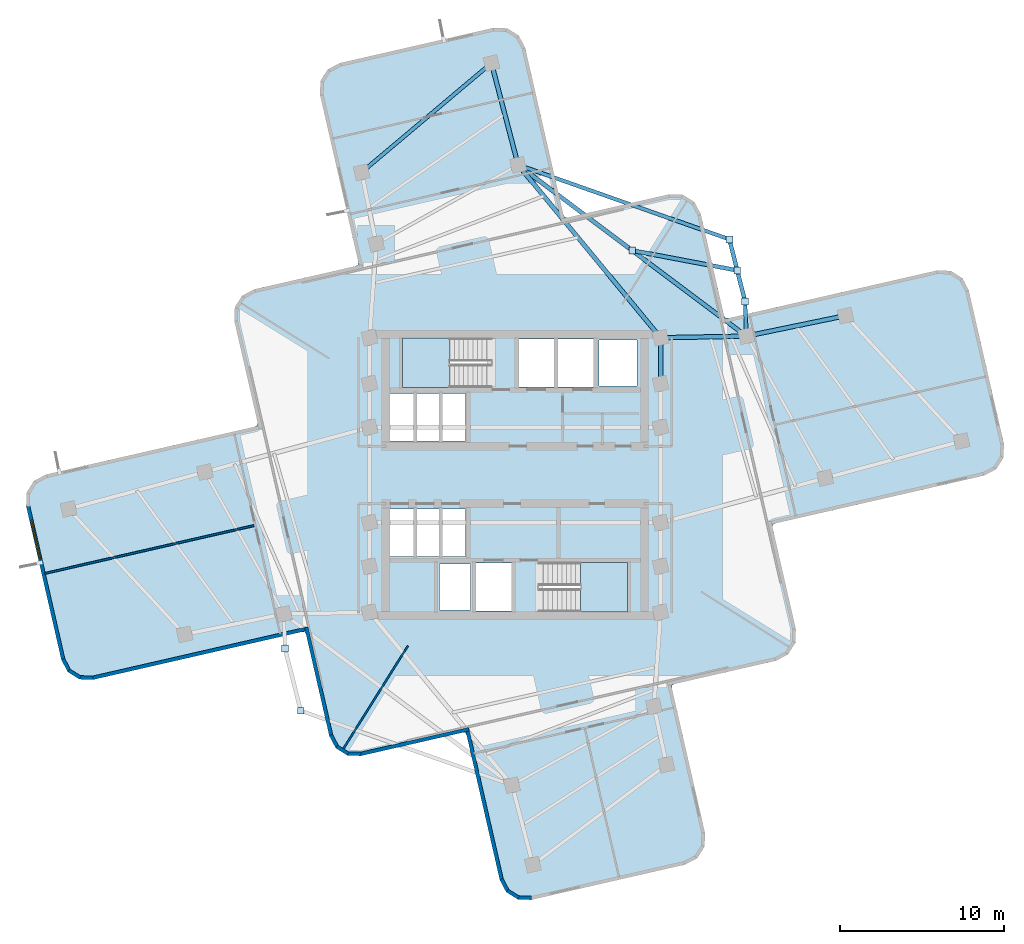
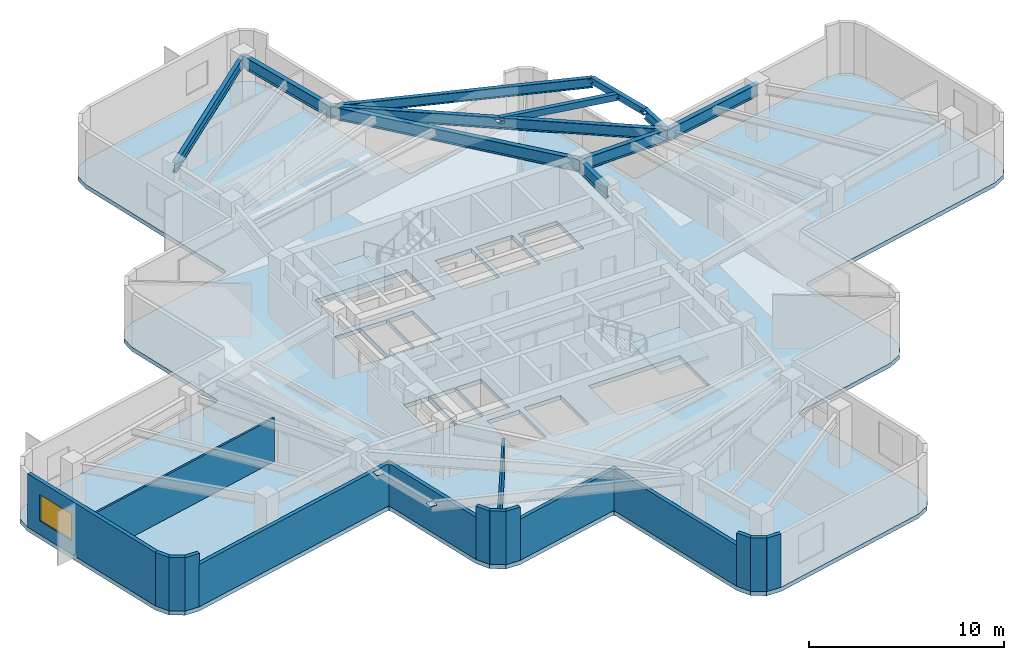
# One storey, part 2 of 8: 16 walls, 11 beams, 6 plates, 3 slabs, 1 window, 1 opening, 2 elements without a shape of their own.
"""IFC4 building model written with IfcOpenShell, lengths in metres."""

from ifc_helpers import new_model, si_unit, direction, frame, frame_2d, origin, origin_2d, place, context, subcontext, project, spatial, polyline, rectangle, hollow_rectangle, i_section, outline, extrude, material, layer, layer_set, material_profile, profile_set, type_object, element, fill, aggregate, save


model = new_model("IFC4")

# Units and contexts
model_context = context("Model", 3, precision=1e-05, world=origin(), true_north=direction((0.0, 1.0)))
body_context = subcontext(model_context, "Body", "Model", "MODEL_VIEW")
ifc_project = project(units=[si_unit("LENGTHUNIT", "METRE"), si_unit("AREAUNIT", "SQUARE_METRE"), si_unit("VOLUMEUNIT", "CUBIC_METRE"), si_unit("PLANEANGLEUNIT", "RADIAN"), si_unit("MASSUNIT", "GRAM", prefix="KILO")], contexts=[model_context])

# Site, building, storey
site_placement = place(None, origin())
site = spatial("IfcSite", under=ifc_project, at=site_placement, CompositionType="ELEMENT")
building_placement = place(site_placement, origin())
building = spatial("IfcBuilding", under=site, at=building_placement, Name="Solmarez Civic Tower", CompositionType="ELEMENT")
storey_placement = place(building_placement, frame((0.0, 0.0, 123.47998046875)))
storey = spatial("IfcBuildingStorey", under=building, at=storey_placement, Name="L32", CompositionType="ELEMENT", Elevation=123.47998046875)

# Beams
ifc_material_1 = material(Name="Steel S355", Category="steel")
ifc_material_profile_1 = material_profile(ifc_material_1, i_section(OverallWidth=0.25390625, OverallDepth=0.68798828125, WebThickness=0.01318359375, FlangeThickness=0.02099609375, at=origin_2d()), Name="W27X102")
ifc_profile_set_1 = profile_set([ifc_material_profile_1], Name="Steel S355")
beam_type_1 = type_object("IfcBeamType", Name="BM-PR-W27X102", PredefinedType="BEAM", material=ifc_profile_set_1)
beam_1_placement = place(storey_placement, frame((14.06396484375, 8.445068359375, 2.99609375), z_axis=(-0.799878431775, 0.600162056766, 0.0), x_axis=(-0.600162056766, -0.799878431775, 0.0)))
element("IfcBeam", 1, at=beam_1_placement, inside=storey, type_object=beam_type_1, Name="L32 Primary Floor Beam BM-L32-BALC-NEC", PredefinedType="BEAM", context=body_context, shape_type="SweptSolid", body=[
    extrude(i_section(OverallWidth=0.25390625, OverallDepth=0.68798828125, WebThickness=0.01318359375, FlangeThickness=0.02099609375, at=origin_2d()), origin(), (0.0, 0.0, 1.0), 17.353759765625),
])
ifc_material_profile_2 = material_profile(ifc_material_1, i_section(OverallWidth=0.26708984375, OverallDepth=0.761962890625, WebThickness=0.014404296875, FlangeThickness=0.021484375, at=origin_2d()), Name="W30X116")
ifc_profile_set_2 = profile_set([ifc_material_profile_2], Name="Steel S355")
beam_type_2 = type_object("IfcBeamType", Name="BM-PR-W30X116", PredefinedType="BEAM", material=ifc_profile_set_2)
beam_2_placement = place(storey_placement, frame((8.85009765625, 5.550048828125, 2.958984375), z_axis=(0.0, 1.0, 0.0), x_axis=(-1.0, 0.0, 0.0)))
element("IfcBeam", 2, at=beam_2_placement, inside=storey, type_object=beam_type_2, Name="L32 Primary Floor Beam BM-L32-HC8-HC11", PredefinedType="BEAM", context=body_context, shape_type="SweptSolid", body=[
    extrude(i_section(OverallWidth=0.26708984375, OverallDepth=0.761962890625, WebThickness=0.014404296875, FlangeThickness=0.021484375, at=origin_2d()), origin(), (0.0, 0.0, 1.0), 2.800048828125),
])
beam_3_placement = place(storey_placement, frame((8.85009765625, 8.35009765625, 2.958984375), z_axis=(0.999834147765, 0.018212000538, 0.0), x_axis=(-0.018212000538, 0.999834147765, 0.0)))
element("IfcBeam", 3, at=beam_3_placement, inside=storey, type_object=beam_type_2, Name="L32 Primary Floor Beam BM-L32-EA-R1B", PredefinedType="BEAM", context=body_context, shape_type="SweptSolid", body=[
    extrude(i_section(OverallWidth=0.26708984375, OverallDepth=0.761962890625, WebThickness=0.014404296875, FlangeThickness=0.021484375, at=origin_2d()), origin(), (0.0, 0.0, 1.0), 5.21484375),
])
beam_4_placement = place(storey_placement, frame((14.06396484375, 8.445068359375, 2.958984375), z_axis=(0.979311082476, 0.202360578523, 0.0), x_axis=(-0.202360578523, 0.979311082476, 0.0)))
element("IfcBeam", 4, at=beam_4_placement, inside=storey, type_object=beam_type_2, Name="L32 Primary Floor Beam BM-L32-EA-R2B", PredefinedType="BEAM", context=body_context, shape_type="SweptSolid", body=[
    extrude(i_section(OverallWidth=0.26708984375, OverallDepth=0.761962890625, WebThickness=0.014404296875, FlangeThickness=0.021484375, at=origin_2d()), origin(), (0.0, 0.0, 1.0), 6.161376953125),
])
beam_5_placement = place(storey_placement, frame((8.85009765625, 8.35009765625, 2.958984375), z_axis=(-0.636218453069, 0.77150896299, 0.0), x_axis=(-0.77150896299, -0.636218453069, 0.0)))
element("IfcBeam", 5, at=beam_5_placement, inside=storey, type_object=beam_type_2, Name="L32 Primary Floor Beam BM-L32-NA-R1A", PredefinedType="BEAM", context=body_context, shape_type="SweptSolid", body=[
    extrude(i_section(OverallWidth=0.26708984375, OverallDepth=0.761962890625, WebThickness=0.014404296875, FlangeThickness=0.021484375, at=origin_2d()), origin(), (0.0, 0.0, 1.0), 13.62255859375),
])
beam_6_placement = place(storey_placement, frame((0.18310546875, 18.860107421875, 2.958984375), z_axis=(-0.25312990791, 0.967432297229, 0.0), x_axis=(-0.967432297229, -0.25312990791, 0.0)))
element("IfcBeam", 6, at=beam_6_placement, inside=storey, type_object=beam_type_2, Name="L32 Primary Floor Beam BM-L32-NA-R2A", PredefinedType="BEAM", context=body_context, shape_type="SweptSolid", body=[
    extrude(i_section(OverallWidth=0.26708984375, OverallDepth=0.761962890625, WebThickness=0.014404296875, FlangeThickness=0.021484375, at=origin_2d()), origin(), (0.0, 0.0, 1.0), 6.400390625),
])
ifc_material_profile_3 = material_profile(ifc_material_1, hollow_rectangle(XDim=0.25, YDim=0.39990234375, WallThickness=0.01611328125, at=origin_2d()), Name="HSS400X250X16")
ifc_profile_set_3 = profile_set([ifc_material_profile_3], Name="Steel S355")
beam_type_3 = type_object("IfcBeamType", Name="BM-SP-HSS400X250", PredefinedType="SPANDREL", material=ifc_profile_set_3)
beam_7_placement = place(storey_placement, frame((13.988037109375, 10.553955078125, 3.14013671875), z_axis=(-0.245141857884, 0.969487219881, 0.0), x_axis=(-0.969487219881, -0.245141857884, 0.0)))
element("IfcBeam", 7, at=beam_7_placement, inside=storey, type_object=beam_type_3, Name="L32 Perimeter Spandrel Beam BM-L32-BALC-NEE", PredefinedType="SPANDREL", context=body_context, shape_type="SweptSolid", body=[
    extrude(hollow_rectangle(XDim=0.25, YDim=0.39990234375, WallThickness=0.01611328125, at=origin_2d()), origin(), (0.0, 0.0, 1.0), 3.89990234375),
])
beam_8_placement = place(storey_placement, frame((7.123046875, 13.652099609375, 3.14013671875), z_axis=(0.982607124139, -0.185696633223, 0.0), x_axis=(0.185696633223, 0.982607124139, 0.0)))
element("IfcBeam", 8, at=beam_8_placement, inside=storey, type_object=beam_type_3, Name="L32 Perimeter Spandrel Beam BM-L32-BALC-NEM", PredefinedType="SPANDREL", context=body_context, shape_type="SweptSolid", body=[
    extrude(hollow_rectangle(XDim=0.25, YDim=0.39990234375, WallThickness=0.01611328125, at=origin_2d()), origin(), (0.0, 0.0, 1.0), 6.5),
])
ifc_material_profile_4 = material_profile(ifc_material_1, i_section(OverallWidth=0.22900390625, OverallDepth=0.612060546875, WebThickness=0.011962890625, FlangeThickness=0.01953125, at=origin_2d()), Name="W24X84")
ifc_profile_set_4 = profile_set([ifc_material_profile_4], Name="Steel S355")
beam_type_4 = type_object("IfcBeamType", Name="BM-SP-W24X84", PredefinedType="SPANDREL", material=ifc_profile_set_4)
beam_9_placement = place(storey_placement, frame((-1.43701171875, 25.052001953125, 3.033935546875), z_axis=(-0.765206846446, -0.643784499777, 0.0), x_axis=(0.643784499777, -0.765206846446, 0.0)))
element("IfcBeam", 9, at=beam_9_placement, inside=storey, type_object=beam_type_4, Name="L32 Perimeter Spandrel Beam BM-L32-NA-T2", PredefinedType="SPANDREL", context=body_context, shape_type="SweptSolid", body=[
    extrude(i_section(OverallWidth=0.22900390625, OverallDepth=0.612060546875, WebThickness=0.011962890625, FlangeThickness=0.01953125, at=origin_2d()), origin(), (0.0, 0.0, 1.0), 10.31884765625),
])
beam_10_placement = place(storey_placement, frame((14.06396484375, 8.445068359375, 3.033935546875), z_axis=(-0.035980392021, 0.999352496064, 0.0), x_axis=(-0.999352496064, -0.035980392021, 0.0)))
element("IfcBeam", 10, at=beam_10_placement, inside=storey, type_object=beam_type_4, Name="L32 Perimeter Spandrel Beam BM-L32-BALC-NE1", PredefinedType="SPANDREL", context=body_context, shape_type="SweptSolid", body=[
    extrude(i_section(OverallWidth=0.22900390625, OverallDepth=0.612060546875, WebThickness=0.011962890625, FlangeThickness=0.01953125, at=origin_2d()), origin(), (0.0, 0.0, 1.0), 2.1103515625),
])
beam_11_placement = place(storey_placement, frame((0.18310546875, 18.860107421875, 3.033935546875), z_axis=(0.943214777397, -0.332183509074, 0.0), x_axis=(0.332183509074, 0.943214777397, 0.0)))
element("IfcBeam", 11, at=beam_11_placement, inside=storey, type_object=beam_type_4, Name="L32 Perimeter Spandrel Beam BM-L32-BALC-NE2", PredefinedType="SPANDREL", context=body_context, shape_type="SweptSolid", body=[
    extrude(i_section(OverallWidth=0.22900390625, OverallDepth=0.612060546875, WebThickness=0.011962890625, FlangeThickness=0.01953125, at=origin_2d()), origin(), (0.0, 0.0, 1.0), 13.622314453125),
])

# Plates
ifc_layer_1 = layer(ifc_material_1, 0.02392578125)
ifc_layer_set_1 = layer_set([ifc_layer_1], Name="Steel S355")
plate_type = type_object("IfcPlateType", Name="PLT-CAP-380", PredefinedType="USERDEFINED", material=ifc_layer_set_1)
for number, where, z_axis, x_axis, name in (
    (12, (13.988037109375, 10.553955078125, 3.128173828125), (0.0, 0.0, 1.0), (1.0, 0.0, 0.0), "Steel Member End Cap Plate CAP-BM-L32-BALC-NEE-0"),
    (13, (13.031982421875, 14.3349609375, 3.128173828125), (0.0, 0.0, 1.0), (1.0, 0.0, 0.0), "Steel Member End Cap Plate CAP-BM-L32-BALC-NEE-1"),
    (14, (7.123046875, 13.652099609375, 3.128173828125), (0.0, 0.0, 1.0), (1.0, 0.0, 0.0), "Steel Member End Cap Plate CAP-BM-L32-BALC-NEM-0"),
    (15, (13.510009765625, 12.445068359375, 3.128173828125), (0.0, 0.0, 1.0), (1.0, 0.0, 0.0), "Steel Member End Cap Plate CAP-BM-L32-BALC-NEM-1"),
    (16, (-13.988037109375, -10.553955078125, 3.128173828125), (0.0, 0.0, 1.0), (1.0, 0.0, 0.0), "Steel Member End Cap Plate CAP-BM-L32-BALC-SWE-0"),
    (17, (-13.031982421875, -14.3349609375, 3.128173828125), (0.0, 0.0, 1.0), (1.0, 0.0, 0.0), "Steel Member End Cap Plate CAP-BM-L32-BALC-SWE-1"),
):
    element("IfcPlate", number, at=place(storey_placement, frame(where, z_axis=z_axis, x_axis=x_axis)), inside=storey, type_object=plate_type, Name=name, ObjectType="CAP_PLATE", PredefinedType="USERDEFINED", context=body_context, shape_type="SweptSolid", body=[
        extrude(rectangle(XDim=0.419921875, YDim=0.419921875, at=origin_2d()), origin(), (0.0, 0.0, 1.0), 0.02392578125),
    ])

# Stair, slab
ifc_material_2 = material(Name="Concrete C50/60", Category="concrete")
stair_type = type_object("IfcStairType", Name="STAIR-DOGLEG-140W-20R-1800", PredefinedType="HALF_TURN_STAIR", material=ifc_material_2)
stair_1_placement = place(storey_placement, origin())
stair_1 = element("IfcStair", 18, at=stair_1_placement, inside=storey, type_object=stair_type, Name="L32 North Core Protected Exit Stair ST-1", PredefinedType="HALF_TURN_STAIR")
ifc_layer_2 = layer(ifc_material_2, 0.199951171875)
ifc_layer_set_2 = layer_set([ifc_layer_2], Name="Concrete C50/60")
slab_type_1 = type_object("IfcSlabType", Name="SLAB-LANDING-200", PredefinedType="LANDING", material=ifc_layer_set_2)
slab_1_placement = place(storey_placement, frame((0.0, 0.0, 1.60009765625)))
slab_1 = element("IfcSlab", 19, at=slab_1_placement, type_object=slab_type_1, Name="ST-1 landing 1", PredefinedType="LANDING", context=body_context, shape_type="SweptSolid", body=[
    extrude(outline(polyline([(-3.969970703125, 8.320068359375), (-6.85009765625, 8.320068359375), (-6.85009765625, 5.320068359375), (-3.969970703125, 5.320068359375), (-3.969970703125, 8.320068359375)])), origin(), (0.0, 0.0, 1.0), 0.199951171875),
])
aggregate(stair_1, [slab_1])

stair_2_placement = place(storey_placement, origin())
stair_2 = element("IfcStair", 20, at=stair_2_placement, inside=storey, type_object=stair_type, Name="L32 South Core Protected Exit Stair ST-2", PredefinedType="HALF_TURN_STAIR")
slab_2_placement = place(storey_placement, frame((0.0, 0.0, 1.60009765625)))
slab_2 = element("IfcSlab", 21, at=slab_2_placement, type_object=slab_type_1, Name="ST-2 landing 1", PredefinedType="LANDING", context=body_context, shape_type="SweptSolid", body=[
    extrude(outline(polyline([(3.969970703125, -8.320068359375), (6.85009765625, -8.320068359375), (6.85009765625, -5.320068359375), (3.969970703125, -5.320068359375), (3.969970703125, -8.320068359375)])), origin(), (0.0, 0.0, 1.0), 0.199951171875),
])
aggregate(stair_2, [slab_2])

# Slab
ifc_layer_3 = layer(ifc_material_2, 0.260009765625)
ifc_layer_set_3 = layer_set([ifc_layer_3], Name="Concrete C50/60")
slab_type_2 = type_object("IfcSlabType", Name="SLAB-TOWER-260", PredefinedType="FLOOR", material=ifc_layer_set_3)
slab_3_placement = place(storey_placement, frame((0.0, 0.0, -0.260009765625)))
element("IfcSlab", 22, at=slab_3_placement, inside=storey, type_object=slab_type_2, Name="L32 Structural Slab", PredefinedType="FLOOR", context=body_context, shape_type="SweptSolid", body=[
    extrude(outline(polyline([(-12.70703125, -9.69189453125), (-11.2919921875, -15.87109375), (-10.904052734375, -16.60302734375), (-10.202880859375, -17.0439453125), (-9.375, -17.073974609375), (-3.196044921875, -15.658935546875), (-3.02392578125, -15.6650390625), (-2.943115234375, -15.81689453125), (-0.925048828125, -24.6279296875), (-0.5380859375, -25.360107421875), (0.1640625, -25.800048828125), (0.991943359375, -25.8310546875), (10.34912109375, -23.68701171875), (11.0810546875, -23.300048828125), (11.52099609375, -22.597900390625), (11.552001953125, -21.77099609375), (9.533935546875, -12.958984375), (9.5400390625, -12.787109375), (9.69189453125, -12.70703125), (15.87109375, -11.2919921875), (16.60302734375, -10.904052734375), (17.0439453125, -10.202880859375), (17.073974609375, -9.375), (15.658935546875, -3.196044921875), (15.6650390625, -3.02392578125), (15.81689453125, -2.943115234375), (28.527099609375, -0.031982421875), (29.259033203125, 0.35498046875), (29.698974609375, 1.056884765625), (29.72998046875, 1.885009765625), (27.5859375, 11.241943359375), (27.198974609375, 11.97412109375), (26.4970703125, 12.4140625), (25.669921875, 12.445068359375), (12.958984375, 9.533935546875), (12.787109375, 9.5400390625), (12.70703125, 9.69189453125), (11.2919921875, 15.87109375), (10.904052734375, 16.60302734375), (10.202880859375, 17.0439453125), (9.375, 17.073974609375), (3.196044921875, 15.658935546875), (3.02392578125, 15.6650390625), (2.943115234375, 15.81689453125), (0.613037109375, 25.992919921875), (0.22509765625, 26.72509765625), (-0.47705078125, 27.1650390625), (-1.303955078125, 27.195068359375), (-10.662109375, 25.052001953125), (-11.39404296875, 24.6640625), (-11.833984375, 23.962890625), (-11.864013671875, 23.135009765625), (-9.533935546875, 12.958984375), (-9.5400390625, 12.787109375), (-9.69189453125, 12.70703125), (-15.87109375, 11.2919921875), (-16.60302734375, 10.904052734375), (-17.0439453125, 10.202880859375), (-17.073974609375, 9.375), (-15.658935546875, 3.196044921875), (-15.6650390625, 3.02392578125), (-15.81689453125, 2.943115234375), (-28.527099609375, 0.031982421875), (-29.259033203125, -0.35498046875), (-29.698974609375, -1.056884765625), (-29.72998046875, -1.885009765625), (-27.5859375, -11.241943359375), (-27.198974609375, -11.97412109375), (-26.4970703125, -12.4140625), (-25.669921875, -12.445068359375), (-12.958984375, -9.533935546875), (-12.787109375, -9.5400390625), (-12.70703125, -9.69189453125)]), holes=[polyline([(-1.449951171875, 8.320068359375), (-6.85009765625, 8.320068359375), (-6.85009765625, 5.320068359375), (-1.449951171875, 5.320068359375), (-1.449951171875, 8.320068359375)]), polyline([(1.449951171875, -8.320068359375), (6.85009765625, -8.320068359375), (6.85009765625, -5.320068359375), (1.449951171875, -5.320068359375), (1.449951171875, -8.320068359375)]), polyline([(0.219970703125, 5.360107421875), (2.3798828125, 5.360107421875), (2.3798828125, 8.280029296875), (0.219970703125, 8.280029296875), (0.219970703125, 5.360107421875)]), polyline([(2.6201171875, 5.360107421875), (4.780029296875, 5.360107421875), (4.780029296875, 8.280029296875), (2.6201171875, 8.280029296875), (2.6201171875, 5.360107421875)]), polyline([(-2.3798828125, -8.280029296875), (-0.219970703125, -8.280029296875), (-0.219970703125, -5.360107421875), (-2.3798828125, -5.360107421875), (-2.3798828125, -8.280029296875)]), polyline([(-7.60009765625, -4.9599609375), (-6.1201171875, -4.9599609375), (-6.1201171875, -2.06005859375), (-7.60009765625, -2.06005859375), (-7.60009765625, -4.9599609375)]), polyline([(-6.0400390625, -4.9599609375), (-4.56005859375, -4.9599609375), (-4.56005859375, -2.06005859375), (-6.0400390625, -2.06005859375), (-6.0400390625, -4.9599609375)]), polyline([(-4.47998046875, -4.9599609375), (-3.0, -4.9599609375), (-3.0, -2.06005859375), (-4.47998046875, -2.06005859375), (-4.47998046875, -4.9599609375)]), polyline([(-7.60009765625, 2.06005859375), (-6.1201171875, 2.06005859375), (-6.1201171875, 4.9599609375), (-7.60009765625, 4.9599609375), (-7.60009765625, 2.06005859375)]), polyline([(-6.0400390625, 2.06005859375), (-4.56005859375, 2.06005859375), (-4.56005859375, 4.9599609375), (-6.0400390625, 4.9599609375), (-6.0400390625, 2.06005859375)]), polyline([(-4.47998046875, 2.06005859375), (-3.0, 2.06005859375), (-3.0, 4.9599609375), (-4.47998046875, 4.9599609375), (-4.47998046875, 2.06005859375)]), polyline([(5.10009765625, 5.419921875), (7.39990234375, 5.419921875), (7.39990234375, 8.219970703125), (5.10009765625, 8.219970703125), (5.10009765625, 5.419921875)]), polyline([(-4.60009765625, -8.219970703125), (-2.699951171875, -8.219970703125), (-2.699951171875, -5.419921875), (-4.60009765625, -5.419921875), (-4.60009765625, -8.219970703125)])]), origin(), (0.0, 0.0, 1.0), 0.260009765625),
])

# Walls
ifc_material_3 = material(Name="Precast concrete C40/50", Category="concrete")
ifc_layer_4 = layer(ifc_material_3, 0.219970703125)
ifc_layer_set_4 = layer_set([ifc_layer_4], Name="Precast concrete C40/50")
wall_type_1 = type_object("IfcWallType", Name="WALL-EXT-220", PredefinedType="SOLIDWALL", material=ifc_layer_set_4)
wall_1_placement = place(storey_placement, frame((-12.5849609375, -9.3349609375, 0.0), z_axis=(0.0, 0.0, 1.0), x_axis=(-0.974754036658, -0.223281365141, 0.0)))
element("IfcWall", 23, at=wall_1_placement, inside=storey, type_object=wall_type_1, Name="L32 Exterior Precast Wall 2", PredefinedType="SOLIDWALL", context=body_context, shape_type="SweptSolid", body=[
    extrude(rectangle(XDim=13.458984375, YDim=0.219970703125, at=frame_2d((6.7294921875, 0.0))), origin(), (0.0, 0.0, 1.0), 2.64404296875),
])
wall_2_placement = place(storey_placement, frame((-25.655029296875, -12.3349609375, 0.0), z_axis=(0.0, 0.0, 1.0), x_axis=(-0.999352376715, 0.035983706773, 0.0)))
element("IfcWall", 24, at=wall_2_placement, inside=storey, type_object=wall_type_1, Name="L32 Exterior Precast Wall 3", PredefinedType="SOLIDWALL", context=body_context, shape_type="SweptSolid", body=[
    extrude(rectangle(XDim=0.83447265625, YDim=0.219970703125, at=frame_2d((0.417236328125, 0.0))), origin(), (0.0, 0.0, 1.0), 3.340087890625),
])
wall_3_placement = place(storey_placement, frame((-26.443115234375, -12.319091796875, 0.0), z_axis=(0.0, 0.0, 1.0), x_axis=(-0.846889988853, 0.531768132536, 0.0)))
element("IfcWall", 25, at=wall_3_placement, inside=storey, type_object=wall_type_1, Name="L32 Exterior Precast Wall 4", PredefinedType="SOLIDWALL", context=body_context, shape_type="SweptSolid", body=[
    extrude(rectangle(XDim=0.818115234375, YDim=0.219970703125, at=frame_2d((0.4091796875, 0.0))), origin(), (0.0, 0.0, 1.0), 3.340087890625),
])
wall_4_placement = place(storey_placement, frame((-27.10302734375, -11.9189453125, 0.0), z_axis=(0.0, 0.0, 1.0), x_axis=(-0.468506090516, 0.883460266876, 0.0)))
element("IfcWall", 26, at=wall_4_placement, inside=storey, type_object=wall_type_1, Name="L32 Exterior Precast Wall 5", PredefinedType="SOLIDWALL", context=body_context, shape_type="SweptSolid", body=[
    extrude(rectangle(XDim=0.834228515625, YDim=0.219970703125, at=frame_2d((0.4169921875, 0.0))), origin(), (0.0, 0.0, 1.0), 3.340087890625),
])

# Wall, opening, window
wall_5_placement = place(storey_placement, frame((-27.47607421875, -11.22802734375, 0.0), z_axis=(0.0, 0.0, 1.0), x_axis=(-0.223358074049, 0.974736462208, 0.0)))
wall_5 = element("IfcWall", 27, at=wall_5_placement, inside=storey, type_object=wall_type_1, Name="L32 Exterior Precast Wall 6", PredefinedType="SOLIDWALL", context=body_context, shape_type="SweptSolid", body=[
    extrude(rectangle(XDim=9.62109375, YDim=0.219970703125, at=frame_2d((4.810546875, 0.0))), origin(), (0.0, 0.0, 1.0), 3.340087890625),
])
opening_placement = place(wall_5_placement, frame((6.303955078125, 0.0, 0.85009765625)))
opening = element("IfcOpeningElement", 28, at=opening_placement, cuts=wall_5, Name="Opening W-10", PredefinedType="OPENING", context=body_context, shape_type="SweptSolid", body=[
    extrude(rectangle(XDim=2.39990234375, YDim=1.64990234375, at=frame_2d((1.199951171875, 0.824951171875))), frame((0.0, 0.119873046875, 0.0), z_axis=(0.0, -1.0, 0.0), x_axis=(1.0, 0.0, 0.0)), (0.0, 0.0, 1.0), 0.239990234375),
])
ifc_material_4 = material(Name="Solar Control Bronze-Tinted Insulating Glass", Category="glass")
window_type = type_object("IfcWindowType", Name="WIN-2400X1650", PartitioningType="SINGLE_PANEL", PredefinedType="WINDOW", material=ifc_material_4)
window_placement = place(opening_placement, origin())
window = element("IfcWindow", 29, at=window_placement, inside=storey, type_object=window_type, Name="L32 Exterior Facade Window 6", OverallHeight=1.64990234375, OverallWidth=2.39990234375, PartitioningType="SINGLE_PANEL", PredefinedType="WINDOW", context=body_context, shape_type="SweptSolid", body=[
    extrude(rectangle(XDim=2.39990234375, YDim=1.64990234375, at=frame_2d((1.199951171875, 0.824951171875))), frame((0.0, 0.030029296875, 0.0), z_axis=(0.0, -1.0, 0.0), x_axis=(1.0, 0.0, 0.0)), (0.0, 0.0, 1.0), 0.06005859375),
])
fill(opening, window)

# Walls
wall_6_placement = place(storey_placement, frame((1.006103515625, -25.720947265625, 0.0), z_axis=(0.0, 0.0, 1.0), x_axis=(-0.999307996296, 0.037195813461, 0.0)))
element("IfcWall", 30, at=wall_6_placement, inside=storey, type_object=wall_type_1, Name="L32 Exterior Precast Wall 61", PredefinedType="SOLIDWALL", context=body_context, shape_type="SweptSolid", body=[
    extrude(rectangle(XDim=0.83349609375, YDim=0.219970703125, at=frame_2d((0.416748046875, 0.0))), origin(), (0.0, 0.0, 1.0), 3.340087890625),
])
wall_7_placement = place(storey_placement, frame((0.218994140625, -25.7041015625, 0.0), z_axis=(0.0, 0.0, 1.0), x_axis=(-0.847847482865, 0.530240177466, 0.0)))
element("IfcWall", 31, at=wall_7_placement, inside=storey, type_object=wall_type_1, Name="L32 Exterior Precast Wall 62", PredefinedType="SOLIDWALL", context=body_context, shape_type="SweptSolid", body=[
    extrude(rectangle(XDim=0.818603515625, YDim=0.219970703125, at=frame_2d((0.4091796875, 0.0))), origin(), (0.0, 0.0, 1.0), 3.340087890625),
])
wall_8_placement = place(storey_placement, frame((-0.44189453125, -25.304931640625, 0.0), z_axis=(0.0, 0.0, 1.0), x_axis=(-0.468250279951, 0.883595877835, 0.0)))
element("IfcWall", 32, at=wall_8_placement, inside=storey, type_object=wall_type_1, Name="L32 Exterior Precast Wall 63", PredefinedType="SOLIDWALL", context=body_context, shape_type="SweptSolid", body=[
    extrude(rectangle(XDim=0.835205078125, YDim=0.219970703125, at=frame_2d((0.41748046875, 0.0))), origin(), (0.0, 0.0, 1.0), 3.340087890625),
])
wall_9_placement = place(storey_placement, frame((-0.81494140625, -24.613037109375, 0.0), z_axis=(0.0, 0.0, 1.0), x_axis=(-0.223313309104, 0.974746718885, 0.0)))
element("IfcWall", 33, at=wall_9_placement, inside=storey, type_object=wall_type_1, Name="L32 Exterior Precast Wall 64", PredefinedType="SOLIDWALL", context=body_context, shape_type="SweptSolid", body=[
    extrude(rectangle(XDim=9.457763671875, YDim=0.219970703125, at=frame_2d((4.72900390625, 0.0))), origin(), (0.0, 0.0, 1.0), 2.570068359375),
])
wall_10_placement = place(storey_placement, frame((-2.821044921875, -15.4599609375, 0.0), z_axis=(0.0, 0.0, 1.0), x_axis=(-0.974754598481, -0.223278912438, 0.0)))
element("IfcWall", 34, at=wall_10_placement, inside=storey, type_object=wall_type_1, Name="L32 Exterior Precast Wall 67", PredefinedType="SOLIDWALL", context=body_context, shape_type="SweptSolid", body=[
    extrude(rectangle(XDim=6.758544921875, YDim=0.219970703125, at=frame_2d((3.37939453125, 0.0))), origin(), (0.0, 0.0, 1.0), 2.570068359375),
])
wall_11_placement = place(storey_placement, frame((-9.360107421875, -16.964111328125, 0.0), z_axis=(0.0, 0.0, 1.0), x_axis=(-0.999352376715, 0.035983706773, 0.0)))
element("IfcWall", 35, at=wall_11_placement, inside=storey, type_object=wall_type_1, Name="L32 Exterior Precast Wall 68", PredefinedType="SOLIDWALL", context=body_context, shape_type="SweptSolid", body=[
    extrude(rectangle(XDim=0.83447265625, YDim=0.219970703125, at=frame_2d((0.417236328125, 0.0))), origin(), (0.0, 0.0, 1.0), 3.340087890625),
])
wall_12_placement = place(storey_placement, frame((-10.14794921875, -16.947998046875, 0.0), z_axis=(0.0, 0.0, 1.0), x_axis=(-0.847311109497, 0.531096868492, 0.0)))
element("IfcWall", 36, at=wall_12_placement, inside=storey, type_object=wall_type_1, Name="L32 Exterior Precast Wall 69", PredefinedType="SOLIDWALL", context=body_context, shape_type="SweptSolid", body=[
    extrude(rectangle(XDim=0.819091796875, YDim=0.219970703125, at=frame_2d((0.40966796875, 0.0))), origin(), (0.0, 0.0, 1.0), 3.340087890625),
])
wall_13_placement = place(storey_placement, frame((-10.80908203125, -16.548095703125, 0.0), z_axis=(0.0, 0.0, 1.0), x_axis=(-0.468506090516, 0.883460266876, 0.0)))
element("IfcWall", 37, at=wall_13_placement, inside=storey, type_object=wall_type_1, Name="L32 Exterior Precast Wall 70", PredefinedType="SOLIDWALL", context=body_context, shape_type="SweptSolid", body=[
    extrude(rectangle(XDim=0.834228515625, YDim=0.219970703125, at=frame_2d((0.4169921875, 0.0))), origin(), (0.0, 0.0, 1.0), 3.340087890625),
])
wall_14_placement = place(storey_placement, frame((-11.181884765625, -15.85693359375, 0.0), z_axis=(0.0, 0.0, 1.0), x_axis=(-0.223278912438, 0.974754598481, 0.0)))
element("IfcWall", 38, at=wall_14_placement, inside=storey, type_object=wall_type_1, Name="L32 Exterior Precast Wall 71", PredefinedType="SOLIDWALL", context=body_context, shape_type="SweptSolid", body=[
    extrude(rectangle(XDim=6.758544921875, YDim=0.219970703125, at=frame_2d((3.37939453125, 0.0))), origin(), (0.0, 0.0, 1.0), 2.64404296875),
])
ifc_material_5 = material(Name="Gypsum Board Acoustic Steel-Stud Partition", Category="steel")
ifc_layer_5 = layer(ifc_material_5, 0.110107421875)
ifc_layer_set_5 = layer_set([ifc_layer_5], Name="Gypsum Board Acoustic Steel-Stud Partition")
wall_type_2 = type_object("IfcWallType", Name="WALL-INT-PART-110", PredefinedType="PARTITIONING", material=ifc_layer_set_5)
wall_15_placement = place(storey_placement, frame((-6.511962890625, -10.3798828125, 0.0), z_axis=(0.0, 0.0, 1.0), x_axis=(-0.531323053356, -0.847169294163, 0.0)))
element("IfcWall", 39, at=wall_15_placement, inside=storey, type_object=wall_type_2, Name="L32 Interior Partition PT-L32-QDIV-3", PredefinedType="PARTITIONING", context=body_context, shape_type="SweptSolid", body=[
    extrude(rectangle(XDim=7.42138671875, YDim=0.110107421875, at=frame_2d((3.710693359375, 0.0))), origin(), (0.0, 0.0, 1.0), 2.570068359375),
])
wall_16_placement = place(storey_placement, frame((-15.85498046875, -3.06689453125, 0.0), z_axis=(0.0, 0.0, 1.0), x_axis=(-0.974758398925, -0.223262320434, 0.0)))
element("IfcWall", 40, at=wall_16_placement, inside=storey, type_object=wall_type_2, Name="L32 Interior Partition PT-L32-W-TSP", PredefinedType="PARTITIONING", context=body_context, shape_type="SweptSolid", body=[
    extrude(rectangle(XDim=13.0751953125, YDim=0.110107421875, at=frame_2d((6.53759765625, 0.0))), origin(), (0.0, 0.0, 1.0), 2.719970703125),
])

save(model, "model.ifc")
